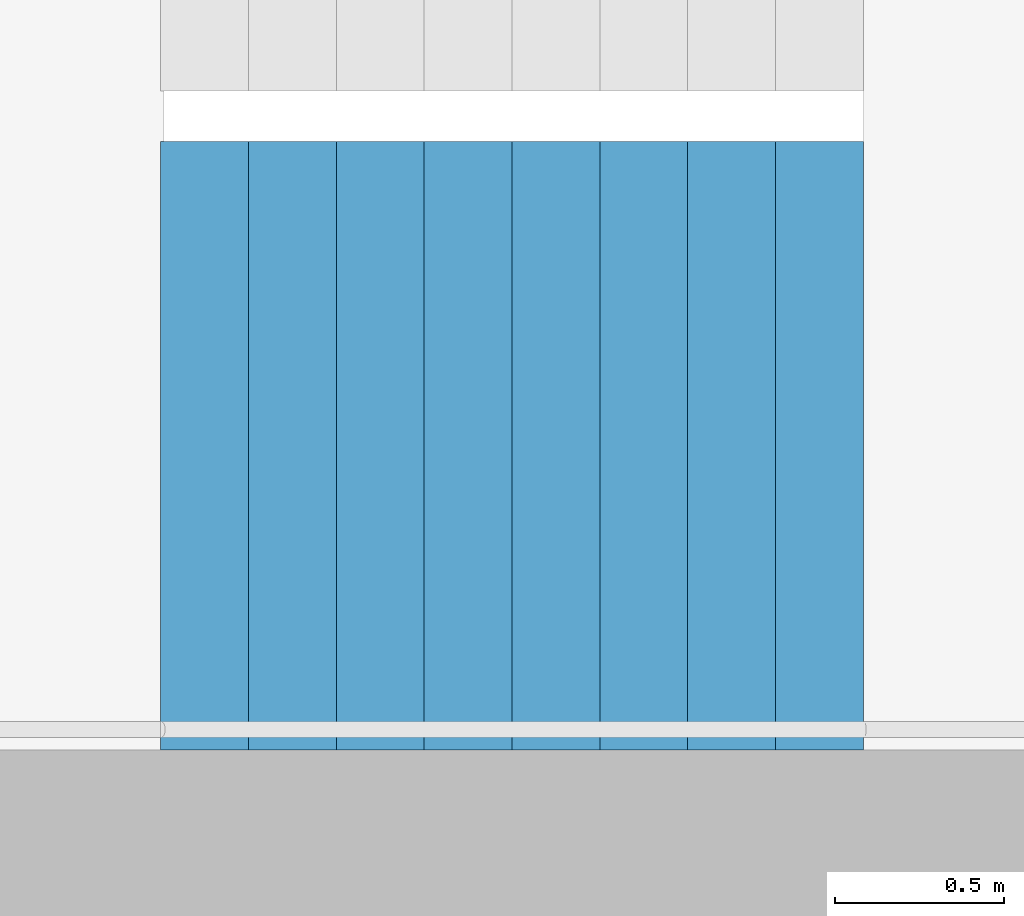
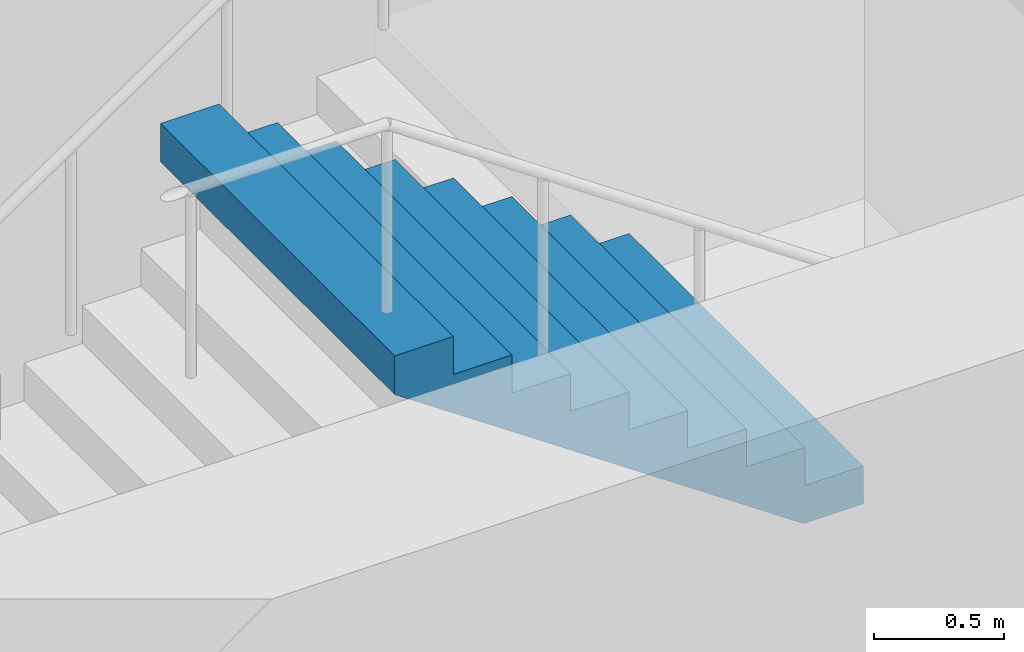
# One storey, part 24 of 34: 1 stair flight, 1 element without a shape of its own.
"""IFC4 building model written with IfcOpenShell, lengths in metres."""

from ifc_helpers import new_model, si_unit, direction, frame, origin, place, context, subcontext, project, spatial, triangles, material, type_object, element, aggregate, save


model = new_model("IFC4")

# Units and contexts
model_context = context("Model", 3, precision=1e-05, world=origin(), true_north=direction((0.0, 1.0)))
body_context = subcontext(model_context, "Body", "Model", "MODEL_VIEW")
ifc_project = project(units=[si_unit("LENGTHUNIT", "METRE"), si_unit("AREAUNIT", "SQUARE_METRE"), si_unit("VOLUMEUNIT", "CUBIC_METRE"), si_unit("PLANEANGLEUNIT", "RADIAN"), si_unit("MASSUNIT", "GRAM", prefix="KILO")], contexts=[model_context])

# Site, building, storey
site_placement = place(None, origin())
site = spatial("IfcSite", under=ifc_project, at=site_placement, CompositionType="ELEMENT")
building_placement = place(site_placement, origin())
building = spatial("IfcBuilding", under=site, at=building_placement, Name="Hakoniwa Tower and Hamabe Station Hall", CompositionType="ELEMENT")
storey_placement = place(building_placement, frame((0.0, 0.0, 107.39990234375)))
storey = spatial("IfcBuildingStorey", under=building, at=storey_placement, Name="L30", CompositionType="ELEMENT", Elevation=107.39990234375)

# Stair, stair flight
ifc_material_1 = material(Name="Concrete C40", Category="concrete")
stair_type = type_object("IfcStairType", Name="ESCAPE STAIR 1800", PredefinedType="HALF_TURN_STAIR", material=ifc_material_1)
stair_placement = place(storey_placement, origin())
stair = element("IfcStair", 1, at=stair_placement, inside=storey, type_object=stair_type, Name="Escape stair ST-4 L30", PredefinedType="HALF_TURN_STAIR")
ifc_material_2 = material(Name="Concrete C40", Category="concrete")
stair_flight_type = type_object("IfcStairFlightType", Name="STAIR FLIGHT 1800", PredefinedType="STRAIGHT", material=ifc_material_2)
stair_flight_placement = place(storey_placement, frame((25.47998046875, -6.60009765625, 1.60009765625), z_axis=(0.0, 0.0, 1.0), x_axis=(-1.0, 0.0, 0.0)))
stair_flight = element("IfcStairFlight", 2, at=stair_flight_placement, type_object=stair_flight_type, Name="ST-4 flight 2", NumberOfRisers=9, NumberOfTreads=8, PredefinedType="STRAIGHT", RiserHeight=0.177777778, TreadLength=0.26, context=body_context, shape_type="Tessellation", body=[
    triangles([(0.0, 0.89990234375, 0.0), (0.260009765625, 0.89990234375, 0.0), (0.265625, 0.89990234375, 0.0), (0.52001953125, 0.89990234375, 0.174072265625), (0.780029296875, 0.89990234375, 0.351806640625), (1.0400390625, 0.89990234375, 0.529541015625), (1.300048828125, 0.89990234375, 0.707275390625), (1.56005859375, 0.89990234375, 0.885009765625), (1.820068359375, 0.89990234375, 1.062744140625), (2.080078125, 0.89990234375, 1.24072265625), (2.080078125, 0.89990234375, 1.422119140625), (1.820068359375, 0.89990234375, 1.422119140625), (1.820068359375, 0.89990234375, 1.244384765625), (1.56005859375, 0.89990234375, 1.244384765625), (1.56005859375, 0.89990234375, 1.066650390625), (1.300048828125, 0.89990234375, 1.066650390625), (1.300048828125, 0.89990234375, 0.888916015625), (1.0400390625, 0.89990234375, 0.888916015625), (1.0400390625, 0.89990234375, 0.711181640625), (0.780029296875, 0.89990234375, 0.711181640625), (0.780029296875, 0.89990234375, 0.533447265625), (0.52001953125, 0.89990234375, 0.533447265625), (0.52001953125, 0.89990234375, 0.35546875), (0.265625, 0.89990234375, 0.35546875), (0.260009765625, 0.89990234375, 0.35546875), (0.260009765625, 0.89990234375, 0.177734375), (0.0, 0.89990234375, 0.177734375), (0.0, 0.06005859375, 0.0), (0.260009765625, 0.06005859375, 0.0), (0.265625, 0.06005859375, 0.0), (0.52001953125, 0.06005859375, 0.174072265625), (0.780029296875, 0.06005859375, 0.351806640625), (1.0400390625, 0.06005859375, 0.529541015625), (1.300048828125, 0.06005859375, 0.707275390625), (1.56005859375, 0.06005859375, 0.885009765625), (1.820068359375, 0.06005859375, 1.062744140625), (2.080078125, 0.06005859375, 1.24072265625), (2.080078125, 0.06005859375, 1.422119140625), (1.820068359375, 0.06005859375, 1.422119140625), (1.820068359375, 0.06005859375, 1.244384765625), (1.56005859375, 0.06005859375, 1.244384765625), (1.56005859375, 0.06005859375, 1.066650390625), (1.300048828125, 0.06005859375, 1.066650390625), (1.300048828125, 0.06005859375, 0.888916015625), (1.0400390625, 0.06005859375, 0.888916015625), (1.0400390625, 0.06005859375, 0.711181640625), (0.780029296875, 0.06005859375, 0.711181640625), (0.780029296875, 0.06005859375, 0.533447265625), (0.52001953125, 0.06005859375, 0.533447265625), (0.52001953125, 0.06005859375, 0.35546875), (0.265625, 0.06005859375, 0.35546875), (0.260009765625, 0.06005859375, 0.35546875), (0.260009765625, 0.06005859375, 0.177734375), (0.0, 0.06005859375, 0.177734375), (0.0, 0.04296875, 0.0), (0.260009765625, 0.04296875, 0.0), (0.265625, 0.04296875, 0.0), (0.52001953125, 0.04296875, 0.174072265625), (0.780029296875, 0.04296875, 0.351806640625), (1.0400390625, 0.04296875, 0.529541015625), (1.300048828125, 0.04296875, 0.707275390625), (1.56005859375, 0.04296875, 0.885009765625), (1.820068359375, 0.04296875, 1.062744140625), (2.080078125, 0.04296875, 1.24072265625), (2.080078125, 0.04296875, 1.422119140625), (1.820068359375, 0.04296875, 1.422119140625), (1.820068359375, 0.04296875, 1.244384765625), (1.56005859375, 0.04296875, 1.244384765625), (1.56005859375, 0.04296875, 1.066650390625), (1.300048828125, 0.04296875, 1.066650390625), (1.300048828125, 0.04296875, 0.888916015625), (1.0400390625, 0.04296875, 0.888916015625), (1.0400390625, 0.04296875, 0.711181640625), (0.780029296875, 0.04296875, 0.711181640625), (0.780029296875, 0.04296875, 0.533447265625), (0.52001953125, 0.04296875, 0.533447265625), (0.52001953125, 0.04296875, 0.35546875), (0.265625, 0.04296875, 0.35546875), (0.260009765625, 0.04296875, 0.35546875), (0.260009765625, 0.04296875, 0.177734375), (0.0, 0.04296875, 0.177734375), (0.0, 0.025634765625, 0.0), (0.260009765625, 0.025634765625, 0.0), (0.265625, 0.025634765625, 0.0), (0.52001953125, 0.025634765625, 0.174072265625), (0.780029296875, 0.025634765625, 0.351806640625), (1.0400390625, 0.025634765625, 0.529541015625), (1.300048828125, 0.025634765625, 0.707275390625), (1.56005859375, 0.025634765625, 0.885009765625), (1.820068359375, 0.025634765625, 1.062744140625), (2.080078125, 0.025634765625, 1.24072265625), (2.080078125, 0.025634765625, 1.422119140625), (1.820068359375, 0.025634765625, 1.422119140625), (1.820068359375, 0.025634765625, 1.244384765625), (1.56005859375, 0.025634765625, 1.244384765625), (1.56005859375, 0.025634765625, 1.066650390625), (1.300048828125, 0.025634765625, 1.066650390625), (1.300048828125, 0.025634765625, 0.888916015625), (1.0400390625, 0.025634765625, 0.888916015625), (1.0400390625, 0.025634765625, 0.711181640625), (0.780029296875, 0.025634765625, 0.711181640625), (0.780029296875, 0.025634765625, 0.533447265625), (0.52001953125, 0.025634765625, 0.533447265625), (0.52001953125, 0.025634765625, 0.35546875), (0.265625, 0.025634765625, 0.35546875), (0.260009765625, 0.025634765625, 0.35546875), (0.260009765625, 0.025634765625, 0.177734375), (0.0, 0.025634765625, 0.177734375), (0.0, 0.008544921875, 0.0), (0.260009765625, 0.008544921875, 0.0), (0.265625, 0.008544921875, 0.0), (0.52001953125, 0.008544921875, 0.174072265625), (0.780029296875, 0.008544921875, 0.351806640625), (1.0400390625, 0.008544921875, 0.529541015625), (1.300048828125, 0.008544921875, 0.707275390625), (1.56005859375, 0.008544921875, 0.885009765625), (1.820068359375, 0.008544921875, 1.062744140625), (2.080078125, 0.008544921875, 1.24072265625), (2.080078125, 0.008544921875, 1.422119140625), (1.820068359375, 0.008544921875, 1.422119140625), (1.820068359375, 0.008544921875, 1.244384765625), (1.56005859375, 0.008544921875, 1.244384765625), (1.56005859375, 0.008544921875, 1.066650390625), (1.300048828125, 0.008544921875, 1.066650390625), (1.300048828125, 0.008544921875, 0.888916015625), (1.0400390625, 0.008544921875, 0.888916015625), (1.0400390625, 0.008544921875, 0.711181640625), (0.780029296875, 0.008544921875, 0.711181640625), (0.780029296875, 0.008544921875, 0.533447265625), (0.52001953125, 0.008544921875, 0.533447265625), (0.52001953125, 0.008544921875, 0.35546875), (0.265625, 0.008544921875, 0.35546875), (0.260009765625, 0.008544921875, 0.35546875), (0.260009765625, 0.008544921875, 0.177734375), (0.0, 0.008544921875, 0.177734375), (0.0, -0.008544921875, 0.0), (0.260009765625, -0.008544921875, 0.0), (0.265625, -0.008544921875, 0.0), (0.52001953125, -0.008544921875, 0.174072265625), (0.780029296875, -0.008544921875, 0.351806640625), (1.0400390625, -0.008544921875, 0.529541015625), (1.300048828125, -0.008544921875, 0.707275390625), (1.56005859375, -0.008544921875, 0.885009765625), (1.820068359375, -0.008544921875, 1.062744140625), (2.080078125, -0.008544921875, 1.24072265625), (2.080078125, -0.008544921875, 1.422119140625), (1.820068359375, -0.008544921875, 1.422119140625), (1.820068359375, -0.008544921875, 1.244384765625), (1.56005859375, -0.008544921875, 1.244384765625), (1.56005859375, -0.008544921875, 1.066650390625), (1.300048828125, -0.008544921875, 1.066650390625), (1.300048828125, -0.008544921875, 0.888916015625), (1.0400390625, -0.008544921875, 0.888916015625), (1.0400390625, -0.008544921875, 0.711181640625), (0.780029296875, -0.008544921875, 0.711181640625), (0.780029296875, -0.008544921875, 0.533447265625), (0.52001953125, -0.008544921875, 0.533447265625), (0.52001953125, -0.008544921875, 0.35546875), (0.265625, -0.008544921875, 0.35546875), (0.260009765625, -0.008544921875, 0.35546875), (0.260009765625, -0.008544921875, 0.177734375), (0.0, -0.008544921875, 0.177734375), (0.0, -0.025634765625, 0.0), (0.260009765625, -0.025634765625, 0.0), (0.265625, -0.025634765625, 0.0), (0.52001953125, -0.025634765625, 0.174072265625), (0.780029296875, -0.025634765625, 0.351806640625), (1.0400390625, -0.025634765625, 0.529541015625), (1.300048828125, -0.025634765625, 0.707275390625), (1.56005859375, -0.025634765625, 0.885009765625), (1.820068359375, -0.025634765625, 1.062744140625), (2.080078125, -0.025634765625, 1.24072265625), (2.080078125, -0.025634765625, 1.422119140625), (1.820068359375, -0.025634765625, 1.422119140625), (1.820068359375, -0.025634765625, 1.244384765625), (1.56005859375, -0.025634765625, 1.244384765625), (1.56005859375, -0.025634765625, 1.066650390625), (1.300048828125, -0.025634765625, 1.066650390625), (1.300048828125, -0.025634765625, 0.888916015625), (1.0400390625, -0.025634765625, 0.888916015625), (1.0400390625, -0.025634765625, 0.711181640625), (0.780029296875, -0.025634765625, 0.711181640625), (0.780029296875, -0.025634765625, 0.533447265625), (0.52001953125, -0.025634765625, 0.533447265625), (0.52001953125, -0.025634765625, 0.35546875), (0.265625, -0.025634765625, 0.35546875), (0.260009765625, -0.025634765625, 0.35546875), (0.260009765625, -0.025634765625, 0.177734375), (0.0, -0.025634765625, 0.177734375), (0.0, -0.04296875, 0.0), (0.260009765625, -0.04296875, 0.0), (0.265625, -0.04296875, 0.0), (0.52001953125, -0.04296875, 0.174072265625), (0.780029296875, -0.04296875, 0.351806640625), (1.0400390625, -0.04296875, 0.529541015625), (1.300048828125, -0.04296875, 0.707275390625), (1.56005859375, -0.04296875, 0.885009765625), (1.820068359375, -0.04296875, 1.062744140625), (2.080078125, -0.04296875, 1.24072265625), (2.080078125, -0.04296875, 1.422119140625), (1.820068359375, -0.04296875, 1.422119140625), (1.820068359375, -0.04296875, 1.244384765625), (1.56005859375, -0.04296875, 1.244384765625), (1.56005859375, -0.04296875, 1.066650390625), (1.300048828125, -0.04296875, 1.066650390625), (1.300048828125, -0.04296875, 0.888916015625), (1.0400390625, -0.04296875, 0.888916015625), (1.0400390625, -0.04296875, 0.711181640625), (0.780029296875, -0.04296875, 0.711181640625), (0.780029296875, -0.04296875, 0.533447265625), (0.52001953125, -0.04296875, 0.533447265625), (0.52001953125, -0.04296875, 0.35546875), (0.265625, -0.04296875, 0.35546875), (0.260009765625, -0.04296875, 0.35546875), (0.260009765625, -0.04296875, 0.177734375), (0.0, -0.04296875, 0.177734375), (0.0, -0.06005859375, 0.0), (0.260009765625, -0.06005859375, 0.0), (0.265625, -0.06005859375, 0.0), (0.52001953125, -0.06005859375, 0.174072265625), (0.780029296875, -0.06005859375, 0.351806640625), (1.0400390625, -0.06005859375, 0.529541015625), (1.300048828125, -0.06005859375, 0.707275390625), (1.56005859375, -0.06005859375, 0.885009765625), (1.820068359375, -0.06005859375, 1.062744140625), (2.080078125, -0.06005859375, 1.24072265625), (2.080078125, -0.06005859375, 1.422119140625), (1.820068359375, -0.06005859375, 1.422119140625), (1.820068359375, -0.06005859375, 1.244384765625), (1.56005859375, -0.06005859375, 1.244384765625), (1.56005859375, -0.06005859375, 1.066650390625), (1.300048828125, -0.06005859375, 1.066650390625), (1.300048828125, -0.06005859375, 0.888916015625), (1.0400390625, -0.06005859375, 0.888916015625), (1.0400390625, -0.06005859375, 0.711181640625), (0.780029296875, -0.06005859375, 0.711181640625), (0.780029296875, -0.06005859375, 0.533447265625), (0.52001953125, -0.06005859375, 0.533447265625), (0.52001953125, -0.06005859375, 0.35546875), (0.265625, -0.06005859375, 0.35546875), (0.260009765625, -0.06005859375, 0.35546875), (0.260009765625, -0.06005859375, 0.177734375), (0.0, -0.06005859375, 0.177734375), (0.0, -0.89990234375, 0.0), (0.260009765625, -0.89990234375, 0.0), (0.265625, -0.89990234375, 0.0), (0.52001953125, -0.89990234375, 0.174072265625), (0.780029296875, -0.89990234375, 0.351806640625), (1.0400390625, -0.89990234375, 0.529541015625), (1.300048828125, -0.89990234375, 0.707275390625), (1.56005859375, -0.89990234375, 0.885009765625), (1.820068359375, -0.89990234375, 1.062744140625), (2.080078125, -0.89990234375, 1.24072265625), (2.080078125, -0.89990234375, 1.422119140625), (1.820068359375, -0.89990234375, 1.422119140625), (1.820068359375, -0.89990234375, 1.244384765625), (1.56005859375, -0.89990234375, 1.244384765625), (1.56005859375, -0.89990234375, 1.066650390625), (1.300048828125, -0.89990234375, 1.066650390625), (1.300048828125, -0.89990234375, 0.888916015625), (1.0400390625, -0.89990234375, 0.888916015625), (1.0400390625, -0.89990234375, 0.711181640625), (0.780029296875, -0.89990234375, 0.711181640625), (0.780029296875, -0.89990234375, 0.533447265625), (0.52001953125, -0.89990234375, 0.533447265625), (0.52001953125, -0.89990234375, 0.35546875), (0.265625, -0.89990234375, 0.35546875), (0.260009765625, -0.89990234375, 0.35546875), (0.260009765625, -0.89990234375, 0.177734375), (0.0, -0.89990234375, 0.177734375)], [[2, 27, 26], [245, 269, 270], [2, 1, 27], [245, 270, 244], [3, 25, 24], [246, 267, 268], [3, 26, 25], [246, 268, 269], [3, 2, 26], [246, 269, 245], [4, 24, 23], [247, 266, 267], [4, 3, 24], [247, 267, 246], [5, 22, 21], [248, 264, 265], [5, 23, 22], [248, 265, 266], [5, 4, 23], [248, 266, 247], [6, 20, 19], [249, 262, 263], [6, 21, 20], [249, 263, 264], [6, 5, 21], [249, 264, 248], [7, 18, 17], [250, 260, 261], [7, 19, 18], [250, 261, 262], [7, 6, 19], [250, 262, 249], [8, 16, 15], [251, 258, 259], [8, 17, 16], [251, 259, 260], [8, 7, 17], [251, 260, 250], [9, 14, 13], [252, 256, 257], [9, 15, 14], [252, 257, 258], [9, 8, 15], [252, 258, 251], [10, 12, 11], [253, 254, 255], [10, 13, 12], [253, 255, 256], [10, 9, 13], [253, 256, 252], [1, 2, 29], [1, 29, 28], [28, 29, 56], [28, 56, 55], [55, 56, 83], [55, 83, 82], [82, 83, 110], [82, 110, 109], [109, 110, 137], [109, 137, 136], [136, 137, 164], [136, 164, 163], [163, 164, 191], [163, 191, 190], [190, 191, 218], [190, 218, 217], [217, 218, 245], [217, 245, 244], [2, 3, 30], [2, 30, 29], [29, 30, 57], [29, 57, 56], [56, 57, 84], [56, 84, 83], [83, 84, 111], [83, 111, 110], [110, 111, 138], [110, 138, 137], [137, 138, 165], [137, 165, 164], [164, 165, 192], [164, 192, 191], [191, 192, 219], [191, 219, 218], [218, 219, 246], [218, 246, 245], [3, 4, 31], [3, 31, 30], [30, 31, 58], [30, 58, 57], [57, 58, 85], [57, 85, 84], [84, 85, 112], [84, 112, 111], [111, 112, 139], [111, 139, 138], [138, 139, 166], [138, 166, 165], [165, 166, 193], [165, 193, 192], [192, 193, 220], [192, 220, 219], [219, 220, 247], [219, 247, 246], [4, 5, 32], [4, 32, 31], [31, 32, 59], [31, 59, 58], [58, 59, 86], [58, 86, 85], [85, 86, 113], [85, 113, 112], [112, 113, 140], [112, 140, 139], [139, 140, 167], [139, 167, 166], [166, 167, 194], [166, 194, 193], [193, 194, 221], [193, 221, 220], [220, 221, 248], [220, 248, 247], [5, 6, 33], [5, 33, 32], [32, 33, 60], [32, 60, 59], [59, 60, 87], [59, 87, 86], [86, 87, 114], [86, 114, 113], [113, 114, 141], [113, 141, 140], [140, 141, 168], [140, 168, 167], [167, 168, 195], [167, 195, 194], [194, 195, 222], [194, 222, 221], [221, 222, 249], [221, 249, 248], [6, 7, 34], [6, 34, 33], [33, 34, 61], [33, 61, 60], [60, 61, 88], [60, 88, 87], [87, 88, 115], [87, 115, 114], [114, 115, 142], [114, 142, 141], [141, 142, 169], [141, 169, 168], [168, 169, 196], [168, 196, 195], [195, 196, 223], [195, 223, 222], [222, 223, 250], [222, 250, 249], [7, 8, 35], [7, 35, 34], [34, 35, 62], [34, 62, 61], [61, 62, 89], [61, 89, 88], [88, 89, 116], [88, 116, 115], [115, 116, 143], [115, 143, 142], [142, 143, 170], [142, 170, 169], [169, 170, 197], [169, 197, 196], [196, 197, 224], [196, 224, 223], [223, 224, 251], [223, 251, 250], [8, 9, 36], [8, 36, 35], [35, 36, 63], [35, 63, 62], [62, 63, 90], [62, 90, 89], [89, 90, 117], [89, 117, 116], [116, 117, 144], [116, 144, 143], [143, 144, 171], [143, 171, 170], [170, 171, 198], [170, 198, 197], [197, 198, 225], [197, 225, 224], [224, 225, 252], [224, 252, 251], [9, 10, 37], [9, 37, 36], [36, 37, 64], [36, 64, 63], [63, 64, 91], [63, 91, 90], [90, 91, 118], [90, 118, 117], [117, 118, 145], [117, 145, 144], [144, 145, 172], [144, 172, 171], [171, 172, 199], [171, 199, 198], [198, 199, 226], [198, 226, 225], [225, 226, 253], [225, 253, 252], [10, 11, 38], [10, 38, 37], [37, 38, 65], [37, 65, 64], [64, 65, 92], [64, 92, 91], [91, 92, 119], [91, 119, 118], [118, 119, 146], [118, 146, 145], [145, 146, 173], [145, 173, 172], [172, 173, 200], [172, 200, 199], [199, 200, 227], [199, 227, 226], [226, 227, 254], [226, 254, 253], [11, 12, 39], [11, 39, 38], [38, 39, 66], [38, 66, 65], [65, 66, 93], [65, 93, 92], [92, 93, 120], [92, 120, 119], [119, 120, 147], [119, 147, 146], [146, 147, 174], [146, 174, 173], [173, 174, 201], [173, 201, 200], [200, 201, 228], [200, 228, 227], [227, 228, 255], [227, 255, 254], [12, 13, 40], [12, 40, 39], [39, 40, 67], [39, 67, 66], [66, 67, 94], [66, 94, 93], [93, 94, 121], [93, 121, 120], [120, 121, 148], [120, 148, 147], [147, 148, 175], [147, 175, 174], [174, 175, 202], [174, 202, 201], [201, 202, 229], [201, 229, 228], [228, 229, 256], [228, 256, 255], [13, 14, 41], [13, 41, 40], [40, 41, 68], [40, 68, 67], [67, 68, 95], [67, 95, 94], [94, 95, 122], [94, 122, 121], [121, 122, 149], [121, 149, 148], [148, 149, 176], [148, 176, 175], [175, 176, 203], [175, 203, 202], [202, 203, 230], [202, 230, 229], [229, 230, 257], [229, 257, 256], [14, 15, 42], [14, 42, 41], [41, 42, 69], [41, 69, 68], [68, 69, 96], [68, 96, 95], [95, 96, 123], [95, 123, 122], [122, 123, 150], [122, 150, 149], [149, 150, 177], [149, 177, 176], [176, 177, 204], [176, 204, 203], [203, 204, 231], [203, 231, 230], [230, 231, 258], [230, 258, 257], [15, 16, 43], [15, 43, 42], [42, 43, 70], [42, 70, 69], [69, 70, 97], [69, 97, 96], [96, 97, 124], [96, 124, 123], [123, 124, 151], [123, 151, 150], [150, 151, 178], [150, 178, 177], [177, 178, 205], [177, 205, 204], [204, 205, 232], [204, 232, 231], [231, 232, 259], [231, 259, 258], [16, 17, 44], [16, 44, 43], [43, 44, 71], [43, 71, 70], [70, 71, 98], [70, 98, 97], [97, 98, 125], [97, 125, 124], [124, 125, 152], [124, 152, 151], [151, 152, 179], [151, 179, 178], [178, 179, 206], [178, 206, 205], [205, 206, 233], [205, 233, 232], [232, 233, 260], [232, 260, 259], [17, 18, 45], [17, 45, 44], [44, 45, 72], [44, 72, 71], [71, 72, 99], [71, 99, 98], [98, 99, 126], [98, 126, 125], [125, 126, 153], [125, 153, 152], [152, 153, 180], [152, 180, 179], [179, 180, 207], [179, 207, 206], [206, 207, 234], [206, 234, 233], [233, 234, 261], [233, 261, 260], [18, 19, 46], [18, 46, 45], [45, 46, 73], [45, 73, 72], [72, 73, 100], [72, 100, 99], [99, 100, 127], [99, 127, 126], [126, 127, 154], [126, 154, 153], [153, 154, 181], [153, 181, 180], [180, 181, 208], [180, 208, 207], [207, 208, 235], [207, 235, 234], [234, 235, 262], [234, 262, 261], [19, 20, 47], [19, 47, 46], [46, 47, 74], [46, 74, 73], [73, 74, 101], [73, 101, 100], [100, 101, 128], [100, 128, 127], [127, 128, 155], [127, 155, 154], [154, 155, 182], [154, 182, 181], [181, 182, 209], [181, 209, 208], [208, 209, 236], [208, 236, 235], [235, 236, 263], [235, 263, 262], [20, 21, 48], [20, 48, 47], [47, 48, 75], [47, 75, 74], [74, 75, 102], [74, 102, 101], [101, 102, 129], [101, 129, 128], [128, 129, 156], [128, 156, 155], [155, 156, 183], [155, 183, 182], [182, 183, 210], [182, 210, 209], [209, 210, 237], [209, 237, 236], [236, 237, 264], [236, 264, 263], [21, 22, 49], [21, 49, 48], [48, 49, 76], [48, 76, 75], [75, 76, 103], [75, 103, 102], [102, 103, 130], [102, 130, 129], [129, 130, 157], [129, 157, 156], [156, 157, 184], [156, 184, 183], [183, 184, 211], [183, 211, 210], [210, 211, 238], [210, 238, 237], [237, 238, 265], [237, 265, 264], [22, 23, 50], [22, 50, 49], [49, 50, 77], [49, 77, 76], [76, 77, 104], [76, 104, 103], [103, 104, 131], [103, 131, 130], [130, 131, 158], [130, 158, 157], [157, 158, 185], [157, 185, 184], [184, 185, 212], [184, 212, 211], [211, 212, 239], [211, 239, 238], [238, 239, 266], [238, 266, 265], [23, 24, 51], [23, 51, 50], [50, 51, 78], [50, 78, 77], [77, 78, 105], [77, 105, 104], [104, 105, 132], [104, 132, 131], [131, 132, 159], [131, 159, 158], [158, 159, 186], [158, 186, 185], [185, 186, 213], [185, 213, 212], [212, 213, 240], [212, 240, 239], [239, 240, 267], [239, 267, 266], [24, 25, 52], [24, 52, 51], [51, 52, 79], [51, 79, 78], [78, 79, 106], [78, 106, 105], [105, 106, 133], [105, 133, 132], [132, 133, 160], [132, 160, 159], [159, 160, 187], [159, 187, 186], [186, 187, 214], [186, 214, 213], [213, 214, 241], [213, 241, 240], [240, 241, 268], [240, 268, 267], [25, 26, 53], [25, 53, 52], [52, 53, 80], [52, 80, 79], [79, 80, 107], [79, 107, 106], [106, 107, 134], [106, 134, 133], [133, 134, 161], [133, 161, 160], [160, 161, 188], [160, 188, 187], [187, 188, 215], [187, 215, 214], [214, 215, 242], [214, 242, 241], [241, 242, 269], [241, 269, 268], [26, 27, 54], [26, 54, 53], [53, 54, 81], [53, 81, 80], [80, 81, 108], [80, 108, 107], [107, 108, 135], [107, 135, 134], [134, 135, 162], [134, 162, 161], [161, 162, 189], [161, 189, 188], [188, 189, 216], [188, 216, 215], [215, 216, 243], [215, 243, 242], [242, 243, 270], [242, 270, 269], [27, 1, 28], [27, 28, 54], [54, 28, 55], [54, 55, 81], [81, 55, 82], [81, 82, 108], [108, 82, 109], [108, 109, 135], [135, 109, 136], [135, 136, 162], [162, 136, 163], [162, 163, 189], [189, 163, 190], [189, 190, 216], [216, 190, 217], [216, 217, 243], [243, 217, 244], [243, 244, 270]], closed=True),
])
aggregate(stair, [stair_flight])

save(model, "model.ifc")
